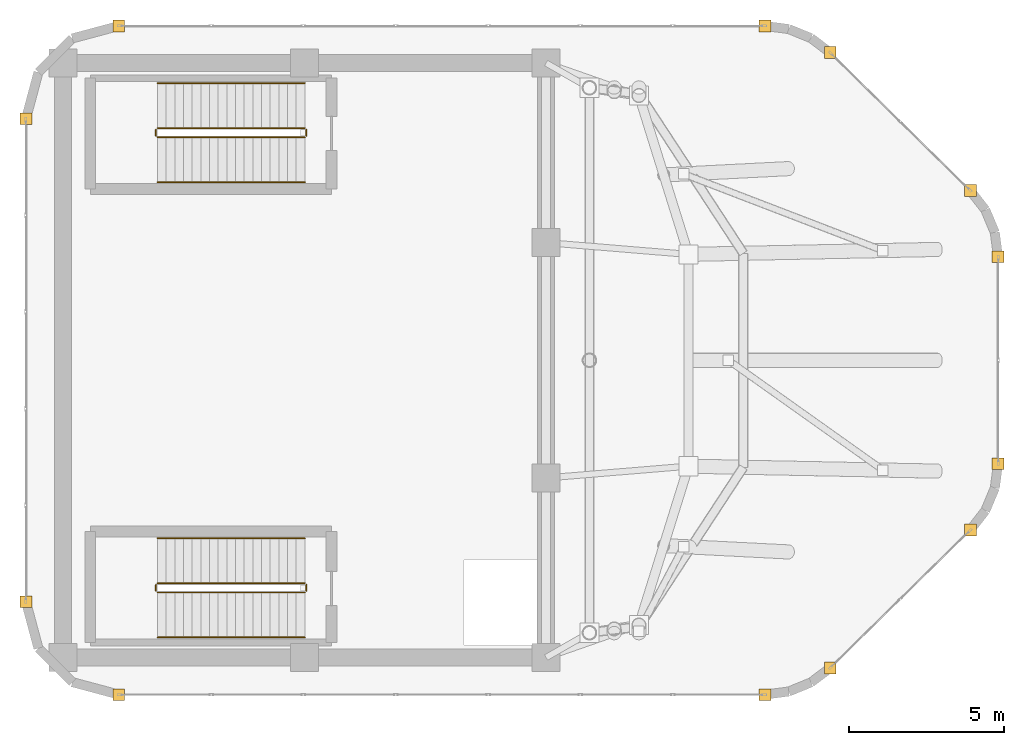
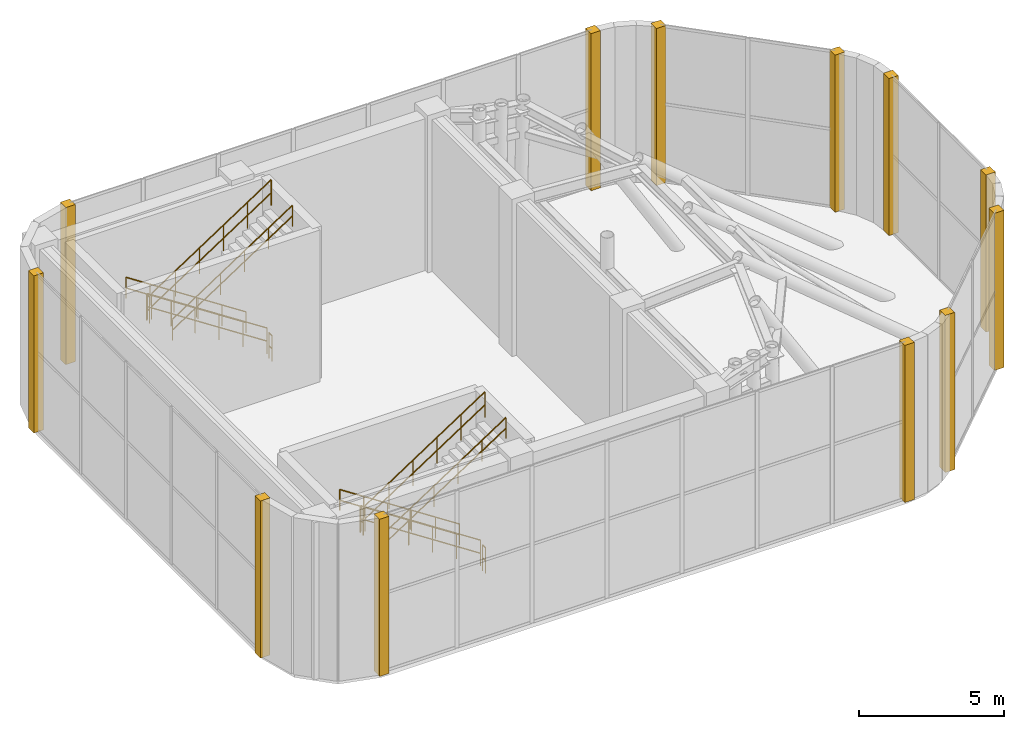
# One storey, part 19 of 19: 12 coverings, 12 railings.
"""IFC4 building model written with IfcOpenShell, lengths in metres."""

from ifc_helpers import new_model, si_unit, direction, frame, origin, origin_2d, place, context, subcontext, project, spatial, rectangle, circle, extrude, material, layer, layer_set, type_object, element, save


model = new_model("IFC4")

# Units and contexts
model_context = context("Model", 3, precision=1e-05, world=origin(), true_north=direction((0.0, 1.0)))
body_context = subcontext(model_context, "Body", "Model", "MODEL_VIEW")
ifc_project = project(units=[si_unit("LENGTHUNIT", "METRE"), si_unit("AREAUNIT", "SQUARE_METRE"), si_unit("VOLUMEUNIT", "CUBIC_METRE"), si_unit("PLANEANGLEUNIT", "RADIAN"), si_unit("MASSUNIT", "GRAM", prefix="KILO")], contexts=[model_context])

# Site, building, storey
site_placement = place(None, origin())
site = spatial("IfcSite", under=ifc_project, at=site_placement, CompositionType="ELEMENT")
building_placement = place(site_placement, origin())
building = spatial("IfcBuilding", under=site, at=building_placement, Name="An Khanh Terracotta Commons", CompositionType="ELEMENT")
storey_placement = place(building_placement, frame((0.0, 0.0, 328.800048828125)))
storey = spatial("IfcBuildingStorey", under=building, at=storey_placement, Name="L82 Crown Faceted Taper", CompositionType="ELEMENT", Elevation=328.800048828125)

# Coverings
ifc_material_1 = material(Name="Fired Terracotta Rainscreen Cladding", Category="masonry")
ifc_layer = layer(ifc_material_1, 0.080078125, Name="Fired Terracotta Rainscreen Cladding")
ifc_layer_set = layer_set([ifc_layer], Name="Fired Terracotta Rainscreen Cladding")
covering_type = type_object("IfcCoveringType", Name="COV-JAMB-TERRA", PredefinedType="CLADDING", material=ifc_layer_set)
for number, where, z_axis, x_axis, name in (
    (1, (23.39990234375, 13.199951171875, 0.0), (0.0, 0.0, 1.0), (1.0, 0.0, 0.0), "L82 Crown Faceted Taper CW-06 Curtain-Wall Jamb Closure JA"),
    (2, (44.27099609375, 13.199951171875, 0.0), (0.0, 0.0, 1.0), (1.0, 0.0, 0.0), "L82 Crown Faceted Taper CW-06 Curtain-Wall Jamb Closure JB"),
    (3, (46.3759765625, 14.06201171875, 0.0), (0.0, 0.0, 1.0), (1.0, 0.0, 0.0), "L82 Crown Faceted Taper CW-06 Curtain-Wall Jamb Closure JA"),
    (4, (50.904052734375, 18.51904296875, 0.0), (0.0, 0.0, 1.0), (1.0, 0.0, 0.0), "L82 Crown Faceted Taper CW-06 Curtain-Wall Jamb Closure JB"),
    (5, (51.800048828125, 20.656982421875, 0.0), (0.0, 0.0, 1.0), (1.0, 0.0, 0.0), "L82 Crown Faceted Taper CW-06 Curtain-Wall Jamb Closure JA"),
    (6, (51.800048828125, 27.343017578125, 0.0), (0.0, 0.0, 1.0), (1.0, 0.0, 0.0), "L82 Crown Faceted Taper CW-06 Curtain-Wall Jamb Closure JB"),
    (7, (50.904052734375, 29.48095703125, 0.0), (0.0, 0.0, 1.0), (1.0, 0.0, 0.0), "L82 Crown Faceted Taper CW-06 Curtain-Wall Jamb Closure JA"),
    (8, (46.3759765625, 33.93798828125, 0.0), (0.0, 0.0, 1.0), (1.0, 0.0, 0.0), "L82 Crown Faceted Taper CW-06 Curtain-Wall Jamb Closure JB"),
    (9, (44.27099609375, 34.800048828125, 0.0), (0.0, 0.0, 1.0), (1.0, 0.0, 0.0), "L82 Crown Faceted Taper CW-06 Curtain-Wall Jamb Closure JA"),
    (10, (23.39990234375, 34.800048828125, 0.0), (0.0, 0.0, 1.0), (1.0, 0.0, 0.0), "L82 Crown Faceted Taper CW-06 Curtain-Wall Jamb Closure JB"),
    (11, (20.39990234375, 31.800048828125, 0.0), (0.0, 0.0, 1.0), (1.0, 0.0, 0.0), "L82 Crown Faceted Taper CW-06 Curtain-Wall Jamb Closure JA"),
    (12, (20.39990234375, 16.199951171875, 0.0), (0.0, 0.0, 1.0), (1.0, 0.0, 0.0), "L82 Crown Faceted Taper CW-06 Curtain-Wall Jamb Closure JB"),
):
    element("IfcCovering", number, at=place(storey_placement, frame(where, z_axis=z_axis, x_axis=x_axis)), inside=storey, type_object=covering_type, Name=name, PredefinedType="CLADDING", context=body_context, shape_type="SweptSolid", body=[
        extrude(rectangle(XDim=0.3798828125, YDim=0.3798828125, at=origin_2d()), origin(), (0.0, 0.0, 1.0), 6.60009765625),
    ])

# Railings
ifc_material_2 = material(Name="Brushed Stainless Steel 316", Category="steel")
railing_type_1 = type_object("IfcRailingType", Name="RAIL-HANDRAIL-900", PredefinedType="HANDRAIL", material=ifc_material_2)
railing_1_placement = place(storey_placement, frame((29.409912109375, 32.949951171875, 0.183349609375)))
element("IfcRailing", 13, at=railing_1_placement, inside=storey, type_object=railing_type_1, Name="L82 Crown Faceted Taper ST-01 stair handrail 1", PredefinedType="HANDRAIL", context=body_context, shape_type="SweptSolid", body=[
    extrude(circle(Radius=0.02392578125, at=origin_2d()), frame((0.0, 0.0, 0.8759765625), z_axis=(-0.836616421643, 0.0, 0.547789159291), x_axis=(0.0, -1.0, 0.0)), (0.0, 0.0, 1.0), 5.689697265625),
    extrude(circle(Radius=0.02392578125, at=origin_2d()), frame((0.0, 0.0, 0.42578125), z_axis=(-0.836616421643, 0.0, 0.547789159291), x_axis=(0.0, -1.0, 0.0)), (0.0, 0.0, 1.0), 5.689697265625),
    extrude(circle(Radius=0.02099609375, at=origin_2d()), origin(), (0.0, 0.0, 1.0), 0.851806640625),
    extrude(circle(Radius=0.02099609375, at=origin_2d()), frame((-0.951904296875, 0.0, 0.623291015625)), (0.0, 0.0, 1.0), 0.851806640625),
    extrude(circle(Radius=0.02099609375, at=origin_2d()), frame((-1.904052734375, 0.0, 1.24658203125)), (0.0, 0.0, 1.0), 0.851806640625),
    extrude(circle(Radius=0.02099609375, at=origin_2d()), frame((-2.85595703125, 0.0, 1.8701171875)), (0.0, 0.0, 1.0), 0.851806640625),
    extrude(circle(Radius=0.02099609375, at=origin_2d()), frame((-3.80810546875, 0.0, 2.493408203125)), (0.0, 0.0, 1.0), 0.851806640625),
    extrude(circle(Radius=0.02099609375, at=origin_2d()), frame((-4.760009765625, 0.0, 3.11669921875)), (0.0, 0.0, 1.0), 0.851806640625),
])
railing_2_placement = place(storey_placement, frame((24.64990234375, 29.75, 3.4833984375)))
element("IfcRailing", 14, at=railing_2_placement, inside=storey, type_object=railing_type_1, Name="L82 Crown Faceted Taper ST-01 stair handrail 2", PredefinedType="HANDRAIL", context=body_context, shape_type="SweptSolid", body=[
    extrude(circle(Radius=0.02392578125, at=origin_2d()), frame((0.0, 0.0, 0.8759765625), z_axis=(0.836636086768, 0.0, 0.547759124358), x_axis=(0.0, 1.0, 0.0)), (0.0, 0.0, 1.0), 5.689453125),
    extrude(circle(Radius=0.02392578125, at=origin_2d()), frame((0.0, 0.0, 0.42578125), z_axis=(0.836636086768, 0.0, 0.547759124358), x_axis=(0.0, 1.0, 0.0)), (0.0, 0.0, 1.0), 5.689453125),
    extrude(circle(Radius=0.02099609375, at=origin_2d()), origin(), (0.0, 0.0, 1.0), 0.851806640625),
    extrude(circle(Radius=0.02099609375, at=origin_2d()), frame((0.951904296875, 0.0, 0.623291015625)), (0.0, 0.0, 1.0), 0.851806640625),
    extrude(circle(Radius=0.02099609375, at=origin_2d()), frame((1.904052734375, 0.0, 1.24658203125)), (0.0, 0.0, 1.0), 0.851806640625),
    extrude(circle(Radius=0.02099609375, at=origin_2d()), frame((2.85595703125, 0.0, 1.869873046875)), (0.0, 0.0, 1.0), 0.851806640625),
    extrude(circle(Radius=0.02099609375, at=origin_2d()), frame((3.80810546875, 0.0, 2.4931640625)), (0.0, 0.0, 1.0), 0.851806640625),
    extrude(circle(Radius=0.02099609375, at=origin_2d()), frame((4.760009765625, 0.0, 3.116455078125)), (0.0, 0.0, 1.0), 0.851806640625),
])
railing_3_placement = place(storey_placement, frame((29.409912109375, 18.25, 0.183349609375)))
element("IfcRailing", 15, at=railing_3_placement, inside=storey, type_object=railing_type_1, Name="L82 Crown Faceted Taper ST-02 stair handrail 1", PredefinedType="HANDRAIL", context=body_context, shape_type="SweptSolid", body=[
    extrude(circle(Radius=0.02392578125, at=origin_2d()), frame((0.0, 0.0, 0.8759765625), z_axis=(-0.836616421643, 0.0, 0.547789159291), x_axis=(0.0, -1.0, 0.0)), (0.0, 0.0, 1.0), 5.689697265625),
    extrude(circle(Radius=0.02392578125, at=origin_2d()), frame((0.0, 0.0, 0.42578125), z_axis=(-0.836616421643, 0.0, 0.547789159291), x_axis=(0.0, -1.0, 0.0)), (0.0, 0.0, 1.0), 5.689697265625),
    extrude(circle(Radius=0.02099609375, at=origin_2d()), origin(), (0.0, 0.0, 1.0), 0.851806640625),
    extrude(circle(Radius=0.02099609375, at=origin_2d()), frame((-0.951904296875, 0.0, 0.623291015625)), (0.0, 0.0, 1.0), 0.851806640625),
    extrude(circle(Radius=0.02099609375, at=origin_2d()), frame((-1.904052734375, 0.0, 1.24658203125)), (0.0, 0.0, 1.0), 0.851806640625),
    extrude(circle(Radius=0.02099609375, at=origin_2d()), frame((-2.85595703125, 0.0, 1.8701171875)), (0.0, 0.0, 1.0), 0.851806640625),
    extrude(circle(Radius=0.02099609375, at=origin_2d()), frame((-3.80810546875, 0.0, 2.493408203125)), (0.0, 0.0, 1.0), 0.851806640625),
    extrude(circle(Radius=0.02099609375, at=origin_2d()), frame((-4.760009765625, 0.0, 3.11669921875)), (0.0, 0.0, 1.0), 0.851806640625),
])
railing_4_placement = place(storey_placement, frame((24.64990234375, 15.050048828125, 3.4833984375)))
element("IfcRailing", 16, at=railing_4_placement, inside=storey, type_object=railing_type_1, Name="L82 Crown Faceted Taper ST-02 stair handrail 2", PredefinedType="HANDRAIL", context=body_context, shape_type="SweptSolid", body=[
    extrude(circle(Radius=0.02392578125, at=origin_2d()), frame((0.0, 0.0, 0.8759765625), z_axis=(0.836636086768, 0.0, 0.547759124358), x_axis=(0.0, 1.0, 0.0)), (0.0, 0.0, 1.0), 5.689453125),
    extrude(circle(Radius=0.02392578125, at=origin_2d()), frame((0.0, 0.0, 0.42578125), z_axis=(0.836636086768, 0.0, 0.547759124358), x_axis=(0.0, 1.0, 0.0)), (0.0, 0.0, 1.0), 5.689453125),
    extrude(circle(Radius=0.02099609375, at=origin_2d()), origin(), (0.0, 0.0, 1.0), 0.851806640625),
    extrude(circle(Radius=0.02099609375, at=origin_2d()), frame((0.951904296875, 0.0, 0.623291015625)), (0.0, 0.0, 1.0), 0.851806640625),
    extrude(circle(Radius=0.02099609375, at=origin_2d()), frame((1.904052734375, 0.0, 1.24658203125)), (0.0, 0.0, 1.0), 0.851806640625),
    extrude(circle(Radius=0.02099609375, at=origin_2d()), frame((2.85595703125, 0.0, 1.869873046875)), (0.0, 0.0, 1.0), 0.851806640625),
    extrude(circle(Radius=0.02099609375, at=origin_2d()), frame((3.80810546875, 0.0, 2.4931640625)), (0.0, 0.0, 1.0), 0.851806640625),
    extrude(circle(Radius=0.02099609375, at=origin_2d()), frame((4.760009765625, 0.0, 3.116455078125)), (0.0, 0.0, 1.0), 0.851806640625),
])
ifc_material_3 = material(Name="Powder-Coated Steel S355J2", Category="steel")
railing_type_2 = type_object("IfcRailingType", Name="RAIL-STAIR-GUARD-1100", PredefinedType="BALUSTRADE", material=ifc_material_3)
railing_5_placement = place(storey_placement, frame((29.409912109375, 31.5, 0.183349609375)))
element("IfcRailing", 17, at=railing_5_placement, inside=storey, type_object=railing_type_2, Name="L82 Crown Faceted Taper ST-01 stair guard 1", PredefinedType="BALUSTRADE", context=body_context, shape_type="SweptSolid", body=[
    extrude(circle(Radius=0.02392578125, at=origin_2d()), frame((0.0, 0.0, 1.076171875), z_axis=(-0.836616421643, 0.0, 0.547789159291), x_axis=(0.0, -1.0, 0.0)), (0.0, 0.0, 1.0), 5.689697265625),
    extrude(circle(Radius=0.02392578125, at=origin_2d()), frame((0.0, 0.0, 0.52587890625), z_axis=(-0.836616421643, 0.0, 0.547789159291), x_axis=(0.0, -1.0, 0.0)), (0.0, 0.0, 1.0), 5.689697265625),
    extrude(circle(Radius=0.02099609375, at=origin_2d()), origin(), (0.0, 0.0, 1.0), 1.052001953125),
    extrude(circle(Radius=0.02099609375, at=origin_2d()), frame((-0.951904296875, 0.0, 0.623291015625)), (0.0, 0.0, 1.0), 1.052001953125),
    extrude(circle(Radius=0.02099609375, at=origin_2d()), frame((-1.904052734375, 0.0, 1.24658203125)), (0.0, 0.0, 1.0), 1.052001953125),
    extrude(circle(Radius=0.02099609375, at=origin_2d()), frame((-2.85595703125, 0.0, 1.8701171875)), (0.0, 0.0, 1.0), 1.052001953125),
    extrude(circle(Radius=0.02099609375, at=origin_2d()), frame((-3.80810546875, 0.0, 2.493408203125)), (0.0, 0.0, 1.0), 1.052001953125),
    extrude(circle(Radius=0.02099609375, at=origin_2d()), frame((-4.760009765625, 0.0, 3.11669921875)), (0.0, 0.0, 1.0), 1.052001953125),
])
railing_6_placement = place(storey_placement, frame((24.60009765625, 31.449951171875, 3.300048828125)))
element("IfcRailing", 18, at=railing_6_placement, inside=storey, type_object=railing_type_2, Name="L82 Crown Faceted Taper ST-01 stair guard 2", PredefinedType="BALUSTRADE", context=body_context, shape_type="SweptSolid", body=[
    extrude(circle(Radius=0.02392578125, at=origin_2d()), frame((0.0, 0.0, 1.076171875), z_axis=(0.0, -1.0, 0.0), x_axis=(1.0, 0.0, 0.0)), (0.0, 0.0, 1.0), 0.199951171875),
    extrude(circle(Radius=0.02392578125, at=origin_2d()), frame((0.0, 0.0, 0.52587890625), z_axis=(0.0, -1.0, 0.0), x_axis=(1.0, 0.0, 0.0)), (0.0, 0.0, 1.0), 0.199951171875),
    extrude(circle(Radius=0.02099609375, at=origin_2d()), origin(), (0.0, 0.0, 1.0), 1.052001953125),
    extrude(circle(Radius=0.02099609375, at=origin_2d()), frame((0.0, -0.199951171875, 0.0)), (0.0, 0.0, 1.0), 1.052001953125),
])
railing_7_placement = place(storey_placement, frame((24.64990234375, 31.199951171875, 3.4833984375)))
element("IfcRailing", 19, at=railing_7_placement, inside=storey, type_object=railing_type_2, Name="L82 Crown Faceted Taper ST-01 stair guard 3", PredefinedType="BALUSTRADE", context=body_context, shape_type="SweptSolid", body=[
    extrude(circle(Radius=0.02392578125, at=origin_2d()), frame((0.0, 0.0, 1.076171875), z_axis=(0.836636086768, 0.0, 0.547759124358), x_axis=(0.0, 1.0, 0.0)), (0.0, 0.0, 1.0), 5.689453125),
    extrude(circle(Radius=0.02392578125, at=origin_2d()), frame((0.0, 0.0, 0.52587890625), z_axis=(0.836636086768, 0.0, 0.547759124358), x_axis=(0.0, 1.0, 0.0)), (0.0, 0.0, 1.0), 5.689453125),
    extrude(circle(Radius=0.02099609375, at=origin_2d()), origin(), (0.0, 0.0, 1.0), 1.052001953125),
    extrude(circle(Radius=0.02099609375, at=origin_2d()), frame((0.951904296875, 0.0, 0.623291015625)), (0.0, 0.0, 1.0), 1.052001953125),
    extrude(circle(Radius=0.02099609375, at=origin_2d()), frame((1.904052734375, 0.0, 1.24658203125)), (0.0, 0.0, 1.0), 1.052001953125),
    extrude(circle(Radius=0.02099609375, at=origin_2d()), frame((2.85595703125, 0.0, 1.869873046875)), (0.0, 0.0, 1.0), 1.052001953125),
    extrude(circle(Radius=0.02099609375, at=origin_2d()), frame((3.80810546875, 0.0, 2.4931640625)), (0.0, 0.0, 1.0), 1.052001953125),
    extrude(circle(Radius=0.02099609375, at=origin_2d()), frame((4.760009765625, 0.0, 3.116455078125)), (0.0, 0.0, 1.0), 1.052001953125),
])
railing_8_placement = place(storey_placement, frame((29.4599609375, 31.449951171875, 0.0)))
element("IfcRailing", 20, at=railing_8_placement, inside=storey, type_object=railing_type_2, Name="L82 Crown Faceted Taper ST-01 stair guard 4", PredefinedType="BALUSTRADE", context=body_context, shape_type="SweptSolid", body=[
    extrude(circle(Radius=0.02392578125, at=origin_2d()), frame((0.0, 0.0, 1.076171875), z_axis=(0.0, -1.0, 0.0), x_axis=(1.0, 0.0, 0.0)), (0.0, 0.0, 1.0), 0.199951171875),
    extrude(circle(Radius=0.02392578125, at=origin_2d()), frame((0.0, 0.0, 0.52587890625), z_axis=(0.0, -1.0, 0.0), x_axis=(1.0, 0.0, 0.0)), (0.0, 0.0, 1.0), 0.199951171875),
    extrude(circle(Radius=0.02099609375, at=origin_2d()), origin(), (0.0, 0.0, 1.0), 1.052001953125),
    extrude(circle(Radius=0.02099609375, at=origin_2d()), frame((0.0, -0.199951171875, 0.0)), (0.0, 0.0, 1.0), 1.052001953125),
])
railing_9_placement = place(storey_placement, frame((29.409912109375, 16.800048828125, 0.183349609375)))
element("IfcRailing", 21, at=railing_9_placement, inside=storey, type_object=railing_type_2, Name="L82 Crown Faceted Taper ST-02 stair guard 1", PredefinedType="BALUSTRADE", context=body_context, shape_type="SweptSolid", body=[
    extrude(circle(Radius=0.02392578125, at=origin_2d()), frame((0.0, 0.0, 1.076171875), z_axis=(-0.836616421643, 0.0, 0.547789159291), x_axis=(0.0, -1.0, 0.0)), (0.0, 0.0, 1.0), 5.689697265625),
    extrude(circle(Radius=0.02392578125, at=origin_2d()), frame((0.0, 0.0, 0.52587890625), z_axis=(-0.836616421643, 0.0, 0.547789159291), x_axis=(0.0, -1.0, 0.0)), (0.0, 0.0, 1.0), 5.689697265625),
    extrude(circle(Radius=0.02099609375, at=origin_2d()), origin(), (0.0, 0.0, 1.0), 1.052001953125),
    extrude(circle(Radius=0.02099609375, at=origin_2d()), frame((-0.951904296875, 0.0, 0.623291015625)), (0.0, 0.0, 1.0), 1.052001953125),
    extrude(circle(Radius=0.02099609375, at=origin_2d()), frame((-1.904052734375, 0.0, 1.24658203125)), (0.0, 0.0, 1.0), 1.052001953125),
    extrude(circle(Radius=0.02099609375, at=origin_2d()), frame((-2.85595703125, 0.0, 1.8701171875)), (0.0, 0.0, 1.0), 1.052001953125),
    extrude(circle(Radius=0.02099609375, at=origin_2d()), frame((-3.80810546875, 0.0, 2.493408203125)), (0.0, 0.0, 1.0), 1.052001953125),
    extrude(circle(Radius=0.02099609375, at=origin_2d()), frame((-4.760009765625, 0.0, 3.11669921875)), (0.0, 0.0, 1.0), 1.052001953125),
])
railing_10_placement = place(storey_placement, frame((24.60009765625, 16.75, 3.300048828125)))
element("IfcRailing", 22, at=railing_10_placement, inside=storey, type_object=railing_type_2, Name="L82 Crown Faceted Taper ST-02 stair guard 2", PredefinedType="BALUSTRADE", context=body_context, shape_type="SweptSolid", body=[
    extrude(circle(Radius=0.02392578125, at=origin_2d()), frame((0.0, 0.0, 1.076171875), z_axis=(0.0, -1.0, 0.0), x_axis=(1.0, 0.0, 0.0)), (0.0, 0.0, 1.0), 0.199951171875),
    extrude(circle(Radius=0.02392578125, at=origin_2d()), frame((0.0, 0.0, 0.52587890625), z_axis=(0.0, -1.0, 0.0), x_axis=(1.0, 0.0, 0.0)), (0.0, 0.0, 1.0), 0.199951171875),
    extrude(circle(Radius=0.02099609375, at=origin_2d()), origin(), (0.0, 0.0, 1.0), 1.052001953125),
    extrude(circle(Radius=0.02099609375, at=origin_2d()), frame((0.0, -0.199951171875, 0.0)), (0.0, 0.0, 1.0), 1.052001953125),
])
railing_11_placement = place(storey_placement, frame((24.64990234375, 16.5, 3.4833984375)))
element("IfcRailing", 23, at=railing_11_placement, inside=storey, type_object=railing_type_2, Name="L82 Crown Faceted Taper ST-02 stair guard 3", PredefinedType="BALUSTRADE", context=body_context, shape_type="SweptSolid", body=[
    extrude(circle(Radius=0.02392578125, at=origin_2d()), frame((0.0, 0.0, 1.076171875), z_axis=(0.836636086768, 0.0, 0.547759124358), x_axis=(0.0, 1.0, 0.0)), (0.0, 0.0, 1.0), 5.689453125),
    extrude(circle(Radius=0.02392578125, at=origin_2d()), frame((0.0, 0.0, 0.52587890625), z_axis=(0.836636086768, 0.0, 0.547759124358), x_axis=(0.0, 1.0, 0.0)), (0.0, 0.0, 1.0), 5.689453125),
    extrude(circle(Radius=0.02099609375, at=origin_2d()), origin(), (0.0, 0.0, 1.0), 1.052001953125),
    extrude(circle(Radius=0.02099609375, at=origin_2d()), frame((0.951904296875, 0.0, 0.623291015625)), (0.0, 0.0, 1.0), 1.052001953125),
    extrude(circle(Radius=0.02099609375, at=origin_2d()), frame((1.904052734375, 0.0, 1.24658203125)), (0.0, 0.0, 1.0), 1.052001953125),
    extrude(circle(Radius=0.02099609375, at=origin_2d()), frame((2.85595703125, 0.0, 1.869873046875)), (0.0, 0.0, 1.0), 1.052001953125),
    extrude(circle(Radius=0.02099609375, at=origin_2d()), frame((3.80810546875, 0.0, 2.4931640625)), (0.0, 0.0, 1.0), 1.052001953125),
    extrude(circle(Radius=0.02099609375, at=origin_2d()), frame((4.760009765625, 0.0, 3.116455078125)), (0.0, 0.0, 1.0), 1.052001953125),
])
railing_12_placement = place(storey_placement, frame((29.4599609375, 16.75, 0.0)))
element("IfcRailing", 24, at=railing_12_placement, inside=storey, type_object=railing_type_2, Name="L82 Crown Faceted Taper ST-02 stair guard 4", PredefinedType="BALUSTRADE", context=body_context, shape_type="SweptSolid", body=[
    extrude(circle(Radius=0.02392578125, at=origin_2d()), frame((0.0, 0.0, 1.076171875), z_axis=(0.0, -1.0, 0.0), x_axis=(1.0, 0.0, 0.0)), (0.0, 0.0, 1.0), 0.199951171875),
    extrude(circle(Radius=0.02392578125, at=origin_2d()), frame((0.0, 0.0, 0.52587890625), z_axis=(0.0, -1.0, 0.0), x_axis=(1.0, 0.0, 0.0)), (0.0, 0.0, 1.0), 0.199951171875),
    extrude(circle(Radius=0.02099609375, at=origin_2d()), origin(), (0.0, 0.0, 1.0), 1.052001953125),
    extrude(circle(Radius=0.02099609375, at=origin_2d()), frame((0.0, -0.199951171875, 0.0)), (0.0, 0.0, 1.0), 1.052001953125),
])

save(model, "model.ifc")
